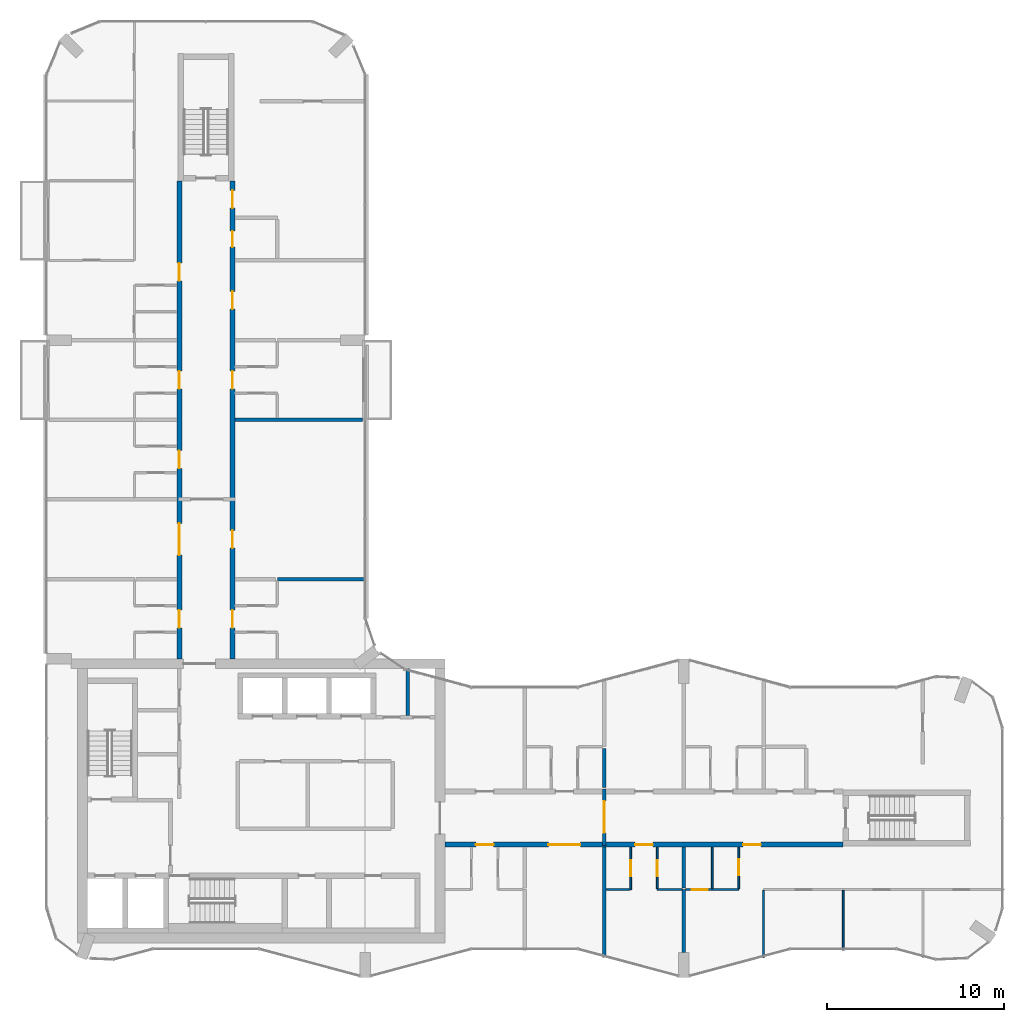
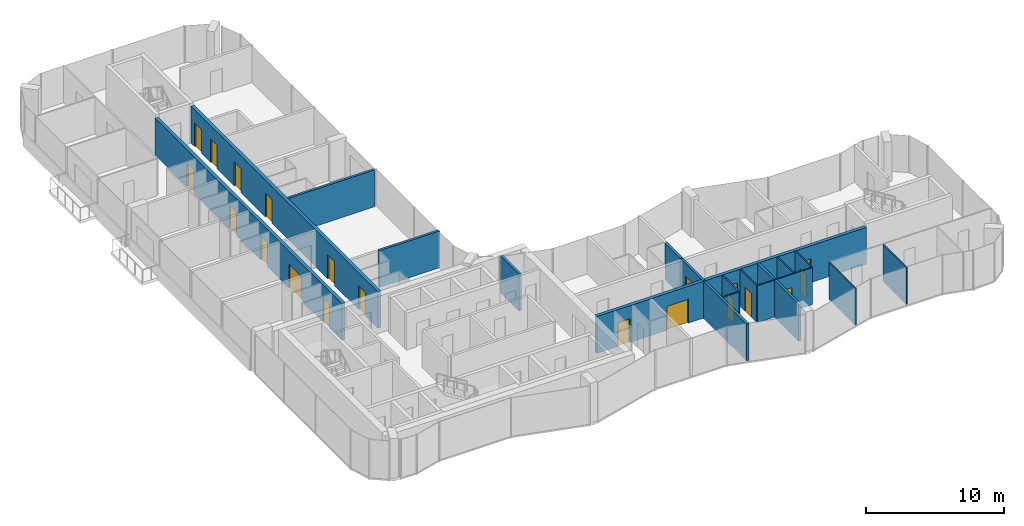
# One storey, part 11 of 15: 20 doors, 20 walls, 20 openings.
"""IFC4 building model written with IfcOpenShell, lengths in metres."""

from ifc_helpers import new_model, si_unit, direction, frame, frame_2d, origin, place, context, subcontext, project, spatial, rectangle, extrude, material, layer, layer_set, type_object, element, fill, save


model = new_model("IFC4")

# Units and contexts
model_context = context("Model", 3, precision=1e-05, world=origin(), true_north=direction((0.0, 1.0)))
body_context = subcontext(model_context, "Body", "Model", "MODEL_VIEW")
ifc_project = project(units=[si_unit("LENGTHUNIT", "METRE"), si_unit("AREAUNIT", "SQUARE_METRE"), si_unit("VOLUMEUNIT", "CUBIC_METRE"), si_unit("PLANEANGLEUNIT", "RADIAN"), si_unit("MASSUNIT", "GRAM", prefix="KILO")], contexts=[model_context])

# Site, building, storey
site_placement = place(None, origin())
site = spatial("IfcSite", under=ifc_project, at=site_placement, CompositionType="ELEMENT")
building_placement = place(site_placement, origin())
building = spatial("IfcBuilding", under=site, at=building_placement, Name="Plateau Cross Towers", CompositionType="ELEMENT")
storey_placement = place(building_placement, frame((0.0, 0.0, 194.39990234375)))
storey = spatial("IfcBuildingStorey", under=building, at=storey_placement, Name="L50", CompositionType="ELEMENT", Elevation=194.39990234375)

# Wall
ifc_material_1 = material(Name="Concrete block, plastered both sides", Category="concrete")
ifc_layer_1 = layer(ifc_material_1, 0.199951171875)
ifc_layer_set_1 = layer_set([ifc_layer_1], Name="Concrete block, plastered both sides")
wall_type_1 = type_object("IfcWallType", Name="Core partition 200", PredefinedType="PARTITIONING", material=ifc_layer_set_1)
wall_1_placement = place(storey_placement, frame((20.39990234375, 14.800048828125, 0.0), z_axis=(0.0, 0.0, 1.0), x_axis=(0.0, 1.0, 0.0)))
element("IfcWall", 1, at=wall_1_placement, inside=storey, type_object=wall_type_1, Name="Core partition", PredefinedType="PARTITIONING", context=body_context, shape_type="SweptSolid", body=[
    extrude(rectangle(XDim=2.64990234375, YDim=0.199951171875, at=frame_2d((1.324951171875, 0.0))), origin(), (0.0, 0.0, 1.0), 3.25),
])

# Wall, openings, doors
ifc_material_2 = material(Name="Concrete C60/75", Category="concrete")
ifc_layer_2 = layer(ifc_material_2, 0.27490234375)
ifc_layer_set_2 = layer_set([ifc_layer_2], Name="Concrete C60/75")
wall_type_2 = type_object("IfcWallType", Name="Corridor wall 275", PredefinedType="SHEAR", material=ifc_layer_set_2)
wall_2_placement = place(storey_placement, frame((22.5, 7.5, 0.0), z_axis=(0.0, 0.0, 1.0), x_axis=(1.0, 0.0, 0.0)))
wall_2 = element("IfcWall", 2, at=wall_2_placement, inside=storey, type_object=wall_type_2, Name="A-cw-S1@L50", PredefinedType="SHEAR", context=body_context, shape_type="SweptSolid", body=[
    extrude(rectangle(XDim=22.5, YDim=0.27490234375, at=frame_2d((11.25, 0.0))), origin(), (0.0, 0.0, 1.0), 3.25),
])
opening_1_placement = place(wall_2_placement, frame((1.75, 0.0, 0.0)))
opening_1 = element("IfcOpeningElement", 3, at=opening_1_placement, cuts=wall_2, Name="Opening 50-01", PredefinedType="OPENING", context=body_context, shape_type="SweptSolid", body=[
    extrude(rectangle(XDim=1.0, YDim=2.10009765625, at=frame_2d((0.5, 1.050048828125))), frame((0.0, 0.1474609375, 0.0), z_axis=(0.0, -1.0, 0.0), x_axis=(1.0, 0.0, 0.0)), (0.0, 0.0, 1.0), 0.294921875),
])
opening_2_placement = place(wall_2_placement, frame((5.85009765625, 0.0, 0.0)))
opening_2 = element("IfcOpeningElement", 4, at=opening_2_placement, cuts=wall_2, Name="Opening 50-02", PredefinedType="OPENING", context=body_context, shape_type="SweptSolid", body=[
    extrude(rectangle(XDim=1.800048828125, YDim=2.10009765625, at=frame_2d((0.89990234375, 1.050048828125))), frame((0.0, 0.1474609375, 0.0), z_axis=(0.0, -1.0, 0.0), x_axis=(1.0, 0.0, 0.0)), (0.0, 0.0, 1.0), 0.294921875),
])
opening_3_placement = place(wall_2_placement, frame((10.75, 0.0, 0.0)))
opening_3 = element("IfcOpeningElement", 5, at=opening_3_placement, cuts=wall_2, Name="Opening 50-03", PredefinedType="OPENING", context=body_context, shape_type="SweptSolid", body=[
    extrude(rectangle(XDim=1.0, YDim=2.10009765625, at=frame_2d((0.5, 1.050048828125))), frame((0.0, 0.1474609375, 0.0), z_axis=(0.0, -1.0, 0.0), x_axis=(1.0, 0.0, 0.0)), (0.0, 0.0, 1.0), 0.294921875),
])
opening_4_placement = place(wall_2_placement, frame((16.85009765625, 0.0, 0.0)))
opening_4 = element("IfcOpeningElement", 6, at=opening_4_placement, cuts=wall_2, Name="Opening 50-04", PredefinedType="OPENING", context=body_context, shape_type="SweptSolid", body=[
    extrude(rectangle(XDim=1.0, YDim=2.10009765625, at=frame_2d((0.5, 1.050048828125))), frame((0.0, 0.1474609375, 0.0), z_axis=(0.0, -1.0, 0.0), x_axis=(1.0, 0.0, 0.0)), (0.0, 0.0, 1.0), 0.294921875),
])
ifc_material_3 = material(Name="Timber, fire-resisting leaf", Category="wood")
door_type_1 = type_object("IfcDoorType", Name="Flat entrance door 1000", OperationType="NOTDEFINED", PredefinedType="DOOR", material=ifc_material_3)
door_1_placement = place(opening_1_placement, origin())
door_1 = element("IfcDoor", 7, at=door_1_placement, inside=storey, type_object=door_type_1, Name="Door 50-01", OperationType="SINGLE_SWING_LEFT", OverallHeight=2.10009765625, OverallWidth=1.0, PredefinedType="DOOR", context=body_context, shape_type="SweptSolid", body=[
    extrude(rectangle(XDim=1.0, YDim=2.10009765625, at=frame_2d((0.5, 1.050048828125))), frame((0.0, 0.02490234375, 0.0), z_axis=(0.0, -1.0, 0.0), x_axis=(1.0, 0.0, 0.0)), (0.0, 0.0, 1.0), 0.050048828125),
])
fill(opening_1, door_1)
door_2_placement = place(opening_3_placement, origin())
door_2 = element("IfcDoor", 8, at=door_2_placement, inside=storey, type_object=door_type_1, Name="Door 50-03", OperationType="SINGLE_SWING_LEFT", OverallHeight=2.10009765625, OverallWidth=1.0, PredefinedType="DOOR", context=body_context, shape_type="SweptSolid", body=[
    extrude(rectangle(XDim=1.0, YDim=2.10009765625, at=frame_2d((0.5, 1.050048828125))), frame((0.0, 0.02490234375, 0.0), z_axis=(0.0, -1.0, 0.0), x_axis=(1.0, 0.0, 0.0)), (0.0, 0.0, 1.0), 0.050048828125),
])
fill(opening_3, door_2)
door_3_placement = place(opening_4_placement, origin())
door_3 = element("IfcDoor", 9, at=door_3_placement, inside=storey, type_object=door_type_1, Name="Door 50-04", OperationType="SINGLE_SWING_RIGHT", OverallHeight=2.10009765625, OverallWidth=1.0, PredefinedType="DOOR", context=body_context, shape_type="SweptSolid", body=[
    extrude(rectangle(XDim=1.0, YDim=2.10009765625, at=frame_2d((0.5, 1.050048828125))), frame((0.0, 0.02490234375, 0.0), z_axis=(0.0, -1.0, 0.0), x_axis=(1.0, 0.0, 0.0)), (0.0, 0.0, 1.0), 0.050048828125),
])
fill(opening_4, door_3)
ifc_material_4 = material(Name="Timber, fire-resisting leaves", Category="wood")
door_type_2 = type_object("IfcDoorType", Name="Flat floor fire door pair 1800", OperationType="NOTDEFINED", PredefinedType="DOOR", material=ifc_material_4)
door_4_placement = place(opening_2_placement, origin())
door_4 = element("IfcDoor", 10, at=door_4_placement, inside=storey, type_object=door_type_2, Name="Door 50-02", OperationType="SINGLE_SWING_LEFT", OverallHeight=2.10009765625, OverallWidth=1.800048828125, PredefinedType="DOOR", context=body_context, shape_type="SweptSolid", body=[
    extrude(rectangle(XDim=1.800048828125, YDim=2.10009765625, at=frame_2d((0.89990234375, 1.050048828125))), frame((0.0, 0.02490234375, 0.0), z_axis=(0.0, -1.0, 0.0), x_axis=(1.0, 0.0, 0.0)), (0.0, 0.0, 1.0), 0.050048828125),
])
fill(opening_2, door_4)

wall_3_placement = place(storey_placement, frame((7.5, 18.0, 0.0), z_axis=(0.0, 0.0, 1.0), x_axis=(0.0, 1.0, 0.0)))
wall_3 = element("IfcWall", 11, at=wall_3_placement, inside=storey, type_object=wall_type_2, Name="A-cw-W1@L50", PredefinedType="SHEAR", context=body_context, shape_type="SweptSolid", body=[
    extrude(rectangle(XDim=27.0, YDim=0.27490234375, at=frame_2d((13.5, 0.0))), origin(), (0.0, 0.0, 1.0), 3.25),
])
opening_5_placement = place(wall_3_placement, frame((1.75, 0.0, 0.0)))
opening_5 = element("IfcOpeningElement", 12, at=opening_5_placement, cuts=wall_3, Name="Opening 50-11", PredefinedType="OPENING", context=body_context, shape_type="SweptSolid", body=[
    extrude(rectangle(XDim=1.0, YDim=2.10009765625, at=frame_2d((0.5, 1.050048828125))), frame((0.0, 0.1474609375, 0.0), z_axis=(0.0, -1.0, 0.0), x_axis=(1.0, 0.0, 0.0)), (0.0, 0.0, 1.0), 0.294921875),
])
opening_6_placement = place(wall_3_placement, frame((5.85009765625, 0.0, 0.0)))
opening_6 = element("IfcOpeningElement", 13, at=opening_6_placement, cuts=wall_3, Name="Opening 50-12", PredefinedType="OPENING", context=body_context, shape_type="SweptSolid", body=[
    extrude(rectangle(XDim=1.800048828125, YDim=2.10009765625, at=frame_2d((0.89990234375, 1.050048828125))), frame((0.0, 0.1474609375, 0.0), z_axis=(0.0, -1.0, 0.0), x_axis=(1.0, 0.0, 0.0)), (0.0, 0.0, 1.0), 0.294921875),
])
opening_7_placement = place(wall_3_placement, frame((10.75, 0.0, 0.0)))
opening_7 = element("IfcOpeningElement", 14, at=opening_7_placement, cuts=wall_3, Name="Opening 50-13", PredefinedType="OPENING", context=body_context, shape_type="SweptSolid", body=[
    extrude(rectangle(XDim=1.0, YDim=2.10009765625, at=frame_2d((0.5, 1.050048828125))), frame((0.0, 0.1474609375, 0.0), z_axis=(0.0, -1.0, 0.0), x_axis=(1.0, 0.0, 0.0)), (0.0, 0.0, 1.0), 0.294921875),
])
opening_8_placement = place(wall_3_placement, frame((15.25, 0.0, 0.0)))
opening_8 = element("IfcOpeningElement", 15, at=opening_8_placement, cuts=wall_3, Name="Opening 50-14", PredefinedType="OPENING", context=body_context, shape_type="SweptSolid", body=[
    extrude(rectangle(XDim=1.0, YDim=2.10009765625, at=frame_2d((0.5, 1.050048828125))), frame((0.0, 0.1474609375, 0.0), z_axis=(0.0, -1.0, 0.0), x_axis=(1.0, 0.0, 0.0)), (0.0, 0.0, 1.0), 0.294921875),
])
opening_9_placement = place(wall_3_placement, frame((21.35009765625, 0.0, 0.0)))
opening_9 = element("IfcOpeningElement", 16, at=opening_9_placement, cuts=wall_3, Name="Opening 50-15", PredefinedType="OPENING", context=body_context, shape_type="SweptSolid", body=[
    extrude(rectangle(XDim=1.0, YDim=2.10009765625, at=frame_2d((0.5, 1.050048828125))), frame((0.0, 0.1474609375, 0.0), z_axis=(0.0, -1.0, 0.0), x_axis=(1.0, 0.0, 0.0)), (0.0, 0.0, 1.0), 0.294921875),
])
door_5_placement = place(opening_5_placement, origin())
door_5 = element("IfcDoor", 17, at=door_5_placement, inside=storey, type_object=door_type_1, Name="Door 50-11", OperationType="SINGLE_SWING_LEFT", OverallHeight=2.10009765625, OverallWidth=1.0, PredefinedType="DOOR", context=body_context, shape_type="SweptSolid", body=[
    extrude(rectangle(XDim=1.0, YDim=2.10009765625, at=frame_2d((0.5, 1.050048828125))), frame((0.0, 0.02490234375, 0.0), z_axis=(0.0, -1.0, 0.0), x_axis=(1.0, 0.0, 0.0)), (0.0, 0.0, 1.0), 0.050048828125),
])
fill(opening_5, door_5)
door_6_placement = place(opening_7_placement, origin())
door_6 = element("IfcDoor", 18, at=door_6_placement, inside=storey, type_object=door_type_1, Name="Door 50-13", OperationType="SINGLE_SWING_LEFT", OverallHeight=2.10009765625, OverallWidth=1.0, PredefinedType="DOOR", context=body_context, shape_type="SweptSolid", body=[
    extrude(rectangle(XDim=1.0, YDim=2.10009765625, at=frame_2d((0.5, 1.050048828125))), frame((0.0, 0.02490234375, 0.0), z_axis=(0.0, -1.0, 0.0), x_axis=(1.0, 0.0, 0.0)), (0.0, 0.0, 1.0), 0.050048828125),
])
fill(opening_7, door_6)
door_7_placement = place(opening_8_placement, origin())
door_7 = element("IfcDoor", 19, at=door_7_placement, inside=storey, type_object=door_type_1, Name="Door 50-14", OperationType="SINGLE_SWING_RIGHT", OverallHeight=2.10009765625, OverallWidth=1.0, PredefinedType="DOOR", context=body_context, shape_type="SweptSolid", body=[
    extrude(rectangle(XDim=1.0, YDim=2.10009765625, at=frame_2d((0.5, 1.050048828125))), frame((0.0, 0.02490234375, 0.0), z_axis=(0.0, -1.0, 0.0), x_axis=(1.0, 0.0, 0.0)), (0.0, 0.0, 1.0), 0.050048828125),
])
fill(opening_8, door_7)
door_8_placement = place(opening_9_placement, origin())
door_8 = element("IfcDoor", 20, at=door_8_placement, inside=storey, type_object=door_type_1, Name="Door 50-15", OperationType="SINGLE_SWING_RIGHT", OverallHeight=2.10009765625, OverallWidth=1.0, PredefinedType="DOOR", context=body_context, shape_type="SweptSolid", body=[
    extrude(rectangle(XDim=1.0, YDim=2.10009765625, at=frame_2d((0.5, 1.050048828125))), frame((0.0, 0.02490234375, 0.0), z_axis=(0.0, -1.0, 0.0), x_axis=(1.0, 0.0, 0.0)), (0.0, 0.0, 1.0), 0.050048828125),
])
fill(opening_9, door_8)
door_9_placement = place(opening_6_placement, origin())
door_9 = element("IfcDoor", 21, at=door_9_placement, inside=storey, type_object=door_type_2, Name="Door 50-12", OperationType="SINGLE_SWING_LEFT", OverallHeight=2.10009765625, OverallWidth=1.800048828125, PredefinedType="DOOR", context=body_context, shape_type="SweptSolid", body=[
    extrude(rectangle(XDim=1.800048828125, YDim=2.10009765625, at=frame_2d((0.89990234375, 1.050048828125))), frame((0.0, 0.02490234375, 0.0), z_axis=(0.0, -1.0, 0.0), x_axis=(1.0, 0.0, 0.0)), (0.0, 0.0, 1.0), 0.050048828125),
])
fill(opening_6, door_9)

wall_4_placement = place(storey_placement, frame((10.5, 18.0, 0.0), z_axis=(0.0, 0.0, 1.0), x_axis=(0.0, 1.0, 0.0)))
wall_4 = element("IfcWall", 22, at=wall_4_placement, inside=storey, type_object=wall_type_2, Name="A-cw-W2@L50", PredefinedType="SHEAR", context=body_context, shape_type="SweptSolid", body=[
    extrude(rectangle(XDim=27.0, YDim=0.27490234375, at=frame_2d((13.5, 0.0))), origin(), (0.0, 0.0, 1.0), 3.25),
])
opening_10_placement = place(wall_4_placement, frame((1.75, 0.0, 0.0)))
opening_10 = element("IfcOpeningElement", 23, at=opening_10_placement, cuts=wall_4, Name="Opening 50-16", PredefinedType="OPENING", context=body_context, shape_type="SweptSolid", body=[
    extrude(rectangle(XDim=1.0, YDim=2.10009765625, at=frame_2d((0.5, 1.050048828125))), frame((0.0, 0.1474609375, 0.0), z_axis=(0.0, -1.0, 0.0), x_axis=(1.0, 0.0, 0.0)), (0.0, 0.0, 1.0), 0.294921875),
])
opening_11_placement = place(wall_4_placement, frame((6.25, 0.0, 0.0)))
opening_11 = element("IfcOpeningElement", 24, at=opening_11_placement, cuts=wall_4, Name="Opening 50-17", PredefinedType="OPENING", context=body_context, shape_type="SweptSolid", body=[
    extrude(rectangle(XDim=1.0, YDim=2.10009765625, at=frame_2d((0.5, 1.050048828125))), frame((0.0, 0.1474609375, 0.0), z_axis=(0.0, -1.0, 0.0), x_axis=(1.0, 0.0, 0.0)), (0.0, 0.0, 1.0), 0.294921875),
])
opening_12_placement = place(wall_4_placement, frame((15.25, 0.0, 0.0)))
opening_12 = element("IfcOpeningElement", 25, at=opening_12_placement, cuts=wall_4, Name="Opening 50-18", PredefinedType="OPENING", context=body_context, shape_type="SweptSolid", body=[
    extrude(rectangle(XDim=1.0, YDim=2.10009765625, at=frame_2d((0.5, 1.050048828125))), frame((0.0, 0.1474609375, 0.0), z_axis=(0.0, -1.0, 0.0), x_axis=(1.0, 0.0, 0.0)), (0.0, 0.0, 1.0), 0.294921875),
])
opening_13_placement = place(wall_4_placement, frame((19.75, 0.0, 0.0)))
opening_13 = element("IfcOpeningElement", 26, at=opening_13_placement, cuts=wall_4, Name="Opening 50-19", PredefinedType="OPENING", context=body_context, shape_type="SweptSolid", body=[
    extrude(rectangle(XDim=1.0, YDim=2.10009765625, at=frame_2d((0.5, 1.050048828125))), frame((0.0, 0.1474609375, 0.0), z_axis=(0.0, -1.0, 0.0), x_axis=(1.0, 0.0, 0.0)), (0.0, 0.0, 1.0), 0.294921875),
])
opening_14_placement = place(wall_4_placement, frame((23.25, 0.0, 0.0)))
opening_14 = element("IfcOpeningElement", 27, at=opening_14_placement, cuts=wall_4, Name="Opening 50-20", PredefinedType="OPENING", context=body_context, shape_type="SweptSolid", body=[
    extrude(rectangle(XDim=0.89990234375, YDim=2.10009765625, at=frame_2d((0.449951171875, 1.050048828125))), frame((0.0, 0.1474609375, 0.0), z_axis=(0.0, -1.0, 0.0), x_axis=(1.0, 0.0, 0.0)), (0.0, 0.0, 1.0), 0.294921875),
])
opening_15_placement = place(wall_4_placement, frame((25.449951171875, 0.0, 0.0)))
opening_15 = element("IfcOpeningElement", 28, at=opening_15_placement, cuts=wall_4, Name="Opening 50-21", PredefinedType="OPENING", context=body_context, shape_type="SweptSolid", body=[
    extrude(rectangle(XDim=1.0, YDim=2.10009765625, at=frame_2d((0.5, 1.050048828125))), frame((0.0, 0.1474609375, 0.0), z_axis=(0.0, -1.0, 0.0), x_axis=(1.0, 0.0, 0.0)), (0.0, 0.0, 1.0), 0.294921875),
])
door_10_placement = place(opening_10_placement, origin())
door_10 = element("IfcDoor", 29, at=door_10_placement, inside=storey, type_object=door_type_1, Name="Door 50-16", OperationType="SINGLE_SWING_LEFT", OverallHeight=2.10009765625, OverallWidth=1.0, PredefinedType="DOOR", context=body_context, shape_type="SweptSolid", body=[
    extrude(rectangle(XDim=1.0, YDim=2.10009765625, at=frame_2d((0.5, 1.050048828125))), frame((0.0, 0.02490234375, 0.0), z_axis=(0.0, -1.0, 0.0), x_axis=(1.0, 0.0, 0.0)), (0.0, 0.0, 1.0), 0.050048828125),
])
fill(opening_10, door_10)
door_11_placement = place(opening_11_placement, origin())
door_11 = element("IfcDoor", 30, at=door_11_placement, inside=storey, type_object=door_type_1, Name="Door 50-17", OperationType="SINGLE_SWING_LEFT", OverallHeight=2.10009765625, OverallWidth=1.0, PredefinedType="DOOR", context=body_context, shape_type="SweptSolid", body=[
    extrude(rectangle(XDim=1.0, YDim=2.10009765625, at=frame_2d((0.5, 1.050048828125))), frame((0.0, 0.02490234375, 0.0), z_axis=(0.0, -1.0, 0.0), x_axis=(1.0, 0.0, 0.0)), (0.0, 0.0, 1.0), 0.050048828125),
])
fill(opening_11, door_11)
door_12_placement = place(opening_12_placement, origin())
door_12 = element("IfcDoor", 31, at=door_12_placement, inside=storey, type_object=door_type_1, Name="Door 50-18", OperationType="SINGLE_SWING_RIGHT", OverallHeight=2.10009765625, OverallWidth=1.0, PredefinedType="DOOR", context=body_context, shape_type="SweptSolid", body=[
    extrude(rectangle(XDim=1.0, YDim=2.10009765625, at=frame_2d((0.5, 1.050048828125))), frame((0.0, 0.02490234375, 0.0), z_axis=(0.0, -1.0, 0.0), x_axis=(1.0, 0.0, 0.0)), (0.0, 0.0, 1.0), 0.050048828125),
])
fill(opening_12, door_12)
door_13_placement = place(opening_13_placement, origin())
door_13 = element("IfcDoor", 32, at=door_13_placement, inside=storey, type_object=door_type_1, Name="Door 50-19", OperationType="SINGLE_SWING_RIGHT", OverallHeight=2.10009765625, OverallWidth=1.0, PredefinedType="DOOR", context=body_context, shape_type="SweptSolid", body=[
    extrude(rectangle(XDim=1.0, YDim=2.10009765625, at=frame_2d((0.5, 1.050048828125))), frame((0.0, 0.02490234375, 0.0), z_axis=(0.0, -1.0, 0.0), x_axis=(1.0, 0.0, 0.0)), (0.0, 0.0, 1.0), 0.050048828125),
])
fill(opening_13, door_13)
door_14_placement = place(opening_15_placement, origin())
door_14 = element("IfcDoor", 33, at=door_14_placement, inside=storey, type_object=door_type_1, Name="Door 50-21", OperationType="SINGLE_SWING_RIGHT", OverallHeight=2.10009765625, OverallWidth=1.0, PredefinedType="DOOR", context=body_context, shape_type="SweptSolid", body=[
    extrude(rectangle(XDim=1.0, YDim=2.10009765625, at=frame_2d((0.5, 1.050048828125))), frame((0.0, 0.02490234375, 0.0), z_axis=(0.0, -1.0, 0.0), x_axis=(1.0, 0.0, 0.0)), (0.0, 0.0, 1.0), 0.050048828125),
])
fill(opening_15, door_14)
door_type_3 = type_object("IfcDoorType", Name="Flat floor service door 900", OperationType="NOTDEFINED", PredefinedType="DOOR", material=ifc_material_3)
door_15_placement = place(opening_14_placement, origin())
door_15 = element("IfcDoor", 34, at=door_15_placement, inside=storey, type_object=door_type_3, Name="Door 50-20", OperationType="SINGLE_SWING_RIGHT", OverallHeight=2.10009765625, OverallWidth=0.89990234375, PredefinedType="DOOR", context=body_context, shape_type="SweptSolid", body=[
    extrude(rectangle(XDim=0.89990234375, YDim=2.10009765625, at=frame_2d((0.449951171875, 1.050048828125))), frame((0.0, 0.02490234375, 0.0), z_axis=(0.0, -1.0, 0.0), x_axis=(1.0, 0.0, 0.0)), (0.0, 0.0, 1.0), 0.050048828125),
])
fill(opening_14, door_15)

# Walls
ifc_material_5 = material(Name="Gypsum board on steel studs", Category="steel")
ifc_layer_3 = layer(ifc_material_5, 0.10009765625)
ifc_layer_set_3 = layer_set([ifc_layer_3], Name="Gypsum board on steel studs")
wall_type_3 = type_object("IfcWallType", Name="Flat partition 100", PredefinedType="PARTITIONING", material=ifc_layer_set_3)
wall_5_placement = place(storey_placement, frame((31.60009765625, 4.96240234375, 0.0), z_axis=(0.0, 0.0, 1.0), x_axis=(1.0, 0.0, 0.0)))
element("IfcWall", 35, at=wall_5_placement, inside=storey, type_object=wall_type_3, Name="Partition wall", PredefinedType="PARTITIONING", context=body_context, shape_type="SweptSolid", body=[
    extrude(rectangle(XDim=1.349853515625, YDim=0.10009765625, at=frame_2d((0.6748046875, 0.0))), origin(), (0.0, 0.0, 1.0), 3.25),
])
wall_6_placement = place(storey_placement, frame((34.5, 4.96240234375, 0.0), z_axis=(0.0, 0.0, 1.0), x_axis=(1.0, 0.0, 0.0)))
element("IfcWall", 36, at=wall_6_placement, inside=storey, type_object=wall_type_3, Name="Partition wall", PredefinedType="PARTITIONING", context=body_context, shape_type="SweptSolid", body=[
    extrude(rectangle(XDim=1.39990234375, YDim=0.10009765625, at=frame_2d((0.699951171875, 0.0))), origin(), (0.0, 0.0, 1.0), 3.25),
])

# Wall, opening, door
wall_7_placement = place(storey_placement, frame((36.10009765625, 4.96240234375, 0.0), z_axis=(0.0, 0.0, 1.0), x_axis=(1.0, 0.0, 0.0)))
wall_7 = element("IfcWall", 37, at=wall_7_placement, inside=storey, type_object=wall_type_3, Name="Partition wall", PredefinedType="PARTITIONING", context=body_context, shape_type="SweptSolid", body=[
    extrude(rectangle(XDim=3.0, YDim=0.10009765625, at=frame_2d((1.5, 0.0))), origin(), (0.0, 0.0, 1.0), 3.25),
])
opening_16_placement = place(wall_7_placement, frame((0.35009765625, 0.0, 0.0)))
opening_16 = element("IfcOpeningElement", 38, at=opening_16_placement, cuts=wall_7, Name="Opening 50-30", PredefinedType="OPENING", context=body_context, shape_type="SweptSolid", body=[
    extrude(rectangle(XDim=0.89990234375, YDim=2.10009765625, at=frame_2d((0.449951171875, 1.050048828125))), frame((0.0, 0.06005859375, 0.0), z_axis=(0.0, -1.0, 0.0), x_axis=(1.0, 0.0, 0.0)), (0.0, 0.0, 1.0), 0.1201171875),
])
ifc_material_6 = material(Name="Timber leaf", Category="wood")
door_type_4 = type_object("IfcDoorType", Name="Flat room door 900", OperationType="NOTDEFINED", PredefinedType="DOOR", material=ifc_material_6)
door_16_placement = place(opening_16_placement, origin())
door_16 = element("IfcDoor", 39, at=door_16_placement, inside=storey, type_object=door_type_4, Name="Door 50-30", OperationType="SINGLE_SWING_LEFT", OverallHeight=2.10009765625, OverallWidth=0.89990234375, PredefinedType="DOOR", context=body_context, shape_type="SweptSolid", body=[
    extrude(rectangle(XDim=0.89990234375, YDim=2.10009765625, at=frame_2d((0.449951171875, 1.050048828125))), frame((0.0, 0.02490234375, 0.0), z_axis=(0.0, -1.0, 0.0), x_axis=(1.0, 0.0, 0.0)), (0.0, 0.0, 1.0), 0.050048828125),
])
fill(opening_16, door_16)

wall_8_placement = place(storey_placement, frame((33.0, 4.96240234375, 0.0), z_axis=(0.0, 0.0, 1.0), x_axis=(0.0, 1.0, 0.0)))
wall_8 = element("IfcWall", 40, at=wall_8_placement, inside=storey, type_object=wall_type_3, Name="Partition wall", PredefinedType="PARTITIONING", context=body_context, shape_type="SweptSolid", body=[
    extrude(rectangle(XDim=2.400146484375, YDim=0.10009765625, at=frame_2d((1.2001953125, 0.0))), origin(), (0.0, 0.0, 1.0), 3.25),
])
opening_17_placement = place(wall_8_placement, frame((0.75, 0.0, 0.0)))
opening_17 = element("IfcOpeningElement", 41, at=opening_17_placement, cuts=wall_8, Name="Opening 50-28", PredefinedType="OPENING", context=body_context, shape_type="SweptSolid", body=[
    extrude(rectangle(XDim=0.89990234375, YDim=2.10009765625, at=frame_2d((0.449951171875, 1.050048828125))), frame((0.0, 0.06005859375, 0.0), z_axis=(0.0, -1.0, 0.0), x_axis=(1.0, 0.0, 0.0)), (0.0, 0.0, 1.0), 0.1201171875),
])
door_17_placement = place(opening_17_placement, origin())
door_17 = element("IfcDoor", 42, at=door_17_placement, inside=storey, type_object=door_type_4, Name="Door 50-28", OperationType="SINGLE_SWING_RIGHT", OverallHeight=2.10009765625, OverallWidth=0.89990234375, PredefinedType="DOOR", context=body_context, shape_type="SweptSolid", body=[
    extrude(rectangle(XDim=0.89990234375, YDim=2.10009765625, at=frame_2d((0.449951171875, 1.050048828125))), frame((0.0, 0.02490234375, 0.0), z_axis=(0.0, -1.0, 0.0), x_axis=(1.0, 0.0, 0.0)), (0.0, 0.0, 1.0), 0.050048828125),
])
fill(opening_17, door_17)

wall_9_placement = place(storey_placement, frame((34.5, 7.362548828125, 0.0), z_axis=(0.0, 0.0, 1.0), x_axis=(0.0, -1.0, 0.0)))
wall_9 = element("IfcWall", 43, at=wall_9_placement, inside=storey, type_object=wall_type_3, Name="Partition wall", PredefinedType="PARTITIONING", context=body_context, shape_type="SweptSolid", body=[
    extrude(rectangle(XDim=2.35009765625, YDim=0.10009765625, at=frame_2d((1.175048828125, 0.0))), origin(), (0.0, 0.0, 1.0), 3.25),
])
opening_18_placement = place(wall_9_placement, frame((0.75, 0.0, 0.0)))
opening_18 = element("IfcOpeningElement", 44, at=opening_18_placement, cuts=wall_9, Name="Opening 50-29", PredefinedType="OPENING", context=body_context, shape_type="SweptSolid", body=[
    extrude(rectangle(XDim=0.89990234375, YDim=2.10009765625, at=frame_2d((0.449951171875, 1.050048828125))), frame((0.0, 0.06005859375, 0.0), z_axis=(0.0, -1.0, 0.0), x_axis=(1.0, 0.0, 0.0)), (0.0, 0.0, 1.0), 0.1201171875),
])
door_18_placement = place(opening_18_placement, origin())
door_18 = element("IfcDoor", 45, at=door_18_placement, inside=storey, type_object=door_type_4, Name="Door 50-29", OperationType="SINGLE_SWING_RIGHT", OverallHeight=2.10009765625, OverallWidth=0.89990234375, PredefinedType="DOOR", context=body_context, shape_type="SweptSolid", body=[
    extrude(rectangle(XDim=0.89990234375, YDim=2.10009765625, at=frame_2d((0.449951171875, 1.050048828125))), frame((0.0, 0.02490234375, 0.0), z_axis=(0.0, -1.0, 0.0), x_axis=(1.0, 0.0, 0.0)), (0.0, 0.0, 1.0), 0.050048828125),
])
fill(opening_18, door_18)

# Wall
wall_10_placement = place(storey_placement, frame((37.60009765625, 5.012451171875, 0.0), z_axis=(0.0, 0.0, 1.0), x_axis=(0.0, 1.0, 0.0)))
element("IfcWall", 46, at=wall_10_placement, inside=storey, type_object=wall_type_3, Name="Partition wall", PredefinedType="PARTITIONING", context=body_context, shape_type="SweptSolid", body=[
    extrude(rectangle(XDim=2.35009765625, YDim=0.10009765625, at=frame_2d((1.175048828125, 0.0))), origin(), (0.0, 0.0, 1.0), 3.25),
])

# Wall, opening, door
wall_11_placement = place(storey_placement, frame((39.10009765625, 5.012451171875, 0.0), z_axis=(0.0, 0.0, 1.0), x_axis=(0.0, 1.0, 0.0)))
wall_11 = element("IfcWall", 47, at=wall_11_placement, inside=storey, type_object=wall_type_3, Name="Partition wall", PredefinedType="PARTITIONING", context=body_context, shape_type="SweptSolid", body=[
    extrude(rectangle(XDim=2.35009765625, YDim=0.10009765625, at=frame_2d((1.175048828125, 0.0))), origin(), (0.0, 0.0, 1.0), 3.25),
])
opening_19_placement = place(wall_11_placement, frame((0.75, 0.0, 0.0)))
opening_19 = element("IfcOpeningElement", 48, at=opening_19_placement, cuts=wall_11, Name="Opening 50-31", PredefinedType="OPENING", context=body_context, shape_type="SweptSolid", body=[
    extrude(rectangle(XDim=0.89990234375, YDim=2.10009765625, at=frame_2d((0.449951171875, 1.050048828125))), frame((0.0, 0.06005859375, 0.0), z_axis=(0.0, -1.0, 0.0), x_axis=(1.0, 0.0, 0.0)), (0.0, 0.0, 1.0), 0.1201171875),
])
door_19_placement = place(opening_19_placement, origin())
door_19 = element("IfcDoor", 49, at=door_19_placement, inside=storey, type_object=door_type_4, Name="Door 50-31", OperationType="SINGLE_SWING_RIGHT", OverallHeight=2.10009765625, OverallWidth=0.89990234375, PredefinedType="DOOR", context=body_context, shape_type="SweptSolid", body=[
    extrude(rectangle(XDim=0.89990234375, YDim=2.10009765625, at=frame_2d((0.449951171875, 1.050048828125))), frame((0.0, 0.02490234375, 0.0), z_axis=(0.0, -1.0, 0.0), x_axis=(1.0, 0.0, 0.0)), (0.0, 0.0, 1.0), 0.050048828125),
])
fill(opening_19, door_19)

# Walls
wall_12_placement = place(storey_placement, frame((40.5, 4.91259765625, 0.0), z_axis=(0.0, 0.0, 1.0), x_axis=(0.0, -1.0, 0.0)))
element("IfcWall", 50, at=wall_12_placement, inside=storey, type_object=wall_type_3, Name="Partition wall", PredefinedType="PARTITIONING", context=body_context, shape_type="SweptSolid", body=[
    extrude(rectangle(XDim=3.790283203125, YDim=0.10009765625, at=frame_2d((1.89501953125, 0.0))), origin(), (0.0, 0.0, 1.0), 3.25),
])
wall_13_placement = place(storey_placement, frame((45.0, 1.52685546875, 0.0), z_axis=(0.0, 0.0, 1.0), x_axis=(0.0, 1.0, 0.0)))
element("IfcWall", 51, at=wall_13_placement, inside=storey, type_object=wall_type_3, Name="Partition wall", PredefinedType="PARTITIONING", context=body_context, shape_type="SweptSolid", body=[
    extrude(rectangle(XDim=3.3857421875, YDim=0.10009765625, at=frame_2d((1.69287109375, 0.0))), origin(), (0.0, 0.0, 1.0), 3.25),
])
ifc_material_7 = material(Name="Gypsum board on steel studs, two layers each side", Category="steel")
ifc_layer_4 = layer(ifc_material_7, 0.199951171875)
ifc_layer_set_4 = layer_set([ifc_layer_4], Name="Gypsum board on steel studs, two layers each side")
wall_type_4 = type_object("IfcWallType", Name="Flat party wall 200", PredefinedType="PARTITIONING", material=ifc_layer_set_4)
wall_14_placement = place(storey_placement, frame((13.03759765625, 22.5, 0.0), z_axis=(0.0, 0.0, 1.0), x_axis=(1.0, 0.0, 0.0)))
element("IfcWall", 52, at=wall_14_placement, inside=storey, type_object=wall_type_4, Name="Party wall", PredefinedType="PARTITIONING", context=body_context, shape_type="SweptSolid", body=[
    extrude(rectangle(XDim=5.04248046875, YDim=0.199951171875, at=frame_2d((2.521240234375, 0.0))), origin(), (0.0, 0.0, 1.0), 3.25),
])
wall_15_placement = place(storey_placement, frame((17.85009765625, 31.5, 0.0), z_axis=(0.0, 0.0, 1.0), x_axis=(-1.0, 0.0, 0.0)))
element("IfcWall", 53, at=wall_15_placement, inside=storey, type_object=wall_type_4, Name="Party wall", PredefinedType="PARTITIONING", context=body_context, shape_type="SweptSolid", body=[
    extrude(rectangle(XDim=7.212646484375, YDim=0.199951171875, at=frame_2d((3.6064453125, 0.0))), origin(), (0.0, 0.0, 1.0), 3.25),
])
wall_16_placement = place(storey_placement, frame((31.5, 1.122314453125, 0.0), z_axis=(0.0, 0.0, 1.0), x_axis=(0.0, 1.0, 0.0)))
element("IfcWall", 54, at=wall_16_placement, inside=storey, type_object=wall_type_4, Name="Party wall", PredefinedType="PARTITIONING", context=body_context, shape_type="SweptSolid", body=[
    extrude(rectangle(XDim=6.240234375, YDim=0.199951171875, at=frame_2d((3.1201171875, 0.0))), origin(), (0.0, 0.0, 1.0), 3.25),
])
wall_17_placement = place(storey_placement, frame((31.5, 10.737548828125, 0.0), z_axis=(0.0, 0.0, 1.0), x_axis=(0.0, 1.0, 0.0)))
element("IfcWall", 55, at=wall_17_placement, inside=storey, type_object=wall_type_4, Name="Party wall", PredefinedType="PARTITIONING", context=body_context, shape_type="SweptSolid", body=[
    extrude(rectangle(XDim=2.199951171875, YDim=0.199951171875, at=frame_2d((1.10009765625, 0.0))), origin(), (0.0, 0.0, 1.0), 3.25),
])
wall_18_placement = place(storey_placement, frame((36.0, 4.96240234375, 0.0), z_axis=(0.0, 0.0, 1.0), x_axis=(0.0, -1.0, 0.0)))
element("IfcWall", 56, at=wall_18_placement, inside=storey, type_object=wall_type_4, Name="Party wall", PredefinedType="PARTITIONING", context=body_context, shape_type="SweptSolid", body=[
    extrude(rectangle(XDim=3.5625, YDim=0.199951171875, at=frame_2d((1.78125, 0.0))), origin(), (0.0, 0.0, 1.0), 3.25),
])
wall_19_placement = place(storey_placement, frame((36.0, 5.0625, 0.0), z_axis=(0.0, 0.0, 1.0), x_axis=(0.0, 1.0, 0.0)))
element("IfcWall", 57, at=wall_19_placement, inside=storey, type_object=wall_type_4, Name="Party wall", PredefinedType="PARTITIONING", context=body_context, shape_type="SweptSolid", body=[
    extrude(rectangle(XDim=2.300048828125, YDim=0.199951171875, at=frame_2d((1.14990234375, 0.0))), origin(), (0.0, 0.0, 1.0), 3.25),
])

# Wall, opening, door
wall_20_placement = place(storey_placement, frame((31.5, 7.46240234375, 0.0), z_axis=(0.0, 0.0, 1.0), x_axis=(0.0, 1.0, 0.0)))
wall_20 = element("IfcWall", 58, at=wall_20_placement, inside=storey, type_object=wall_type_4, Name="Party wall", PredefinedType="PARTITIONING", context=body_context, shape_type="SweptSolid", body=[
    extrude(rectangle(XDim=3.175048828125, YDim=0.199951171875, at=frame_2d((1.58740234375, 0.0))), origin(), (0.0, 0.0, 1.0), 3.25),
])
opening_20_placement = place(wall_20_placement, frame((0.699951171875, 0.0, 0.0)))
opening_20 = element("IfcOpeningElement", 59, at=opening_20_placement, cuts=wall_20, Name="Opening 50-22", PredefinedType="OPENING", context=body_context, shape_type="SweptSolid", body=[
    extrude(rectangle(XDim=1.800048828125, YDim=2.10009765625, at=frame_2d((0.89990234375, 1.050048828125))), frame((0.0, 0.10986328125, 0.0), z_axis=(0.0, -1.0, 0.0), x_axis=(1.0, 0.0, 0.0)), (0.0, 0.0, 1.0), 0.219970703125),
])
door_20_placement = place(opening_20_placement, origin())
door_20 = element("IfcDoor", 60, at=door_20_placement, inside=storey, type_object=door_type_2, Name="Door 50-22", OperationType="SINGLE_SWING_RIGHT", OverallHeight=2.10009765625, OverallWidth=1.800048828125, PredefinedType="DOOR", context=body_context, shape_type="SweptSolid", body=[
    extrude(rectangle(XDim=1.800048828125, YDim=2.10009765625, at=frame_2d((0.89990234375, 1.050048828125))), frame((0.0, 0.02490234375, 0.0), z_axis=(0.0, -1.0, 0.0), x_axis=(1.0, 0.0, 0.0)), (0.0, 0.0, 1.0), 0.050048828125),
])
fill(opening_20, door_20)

save(model, "model.ifc")
